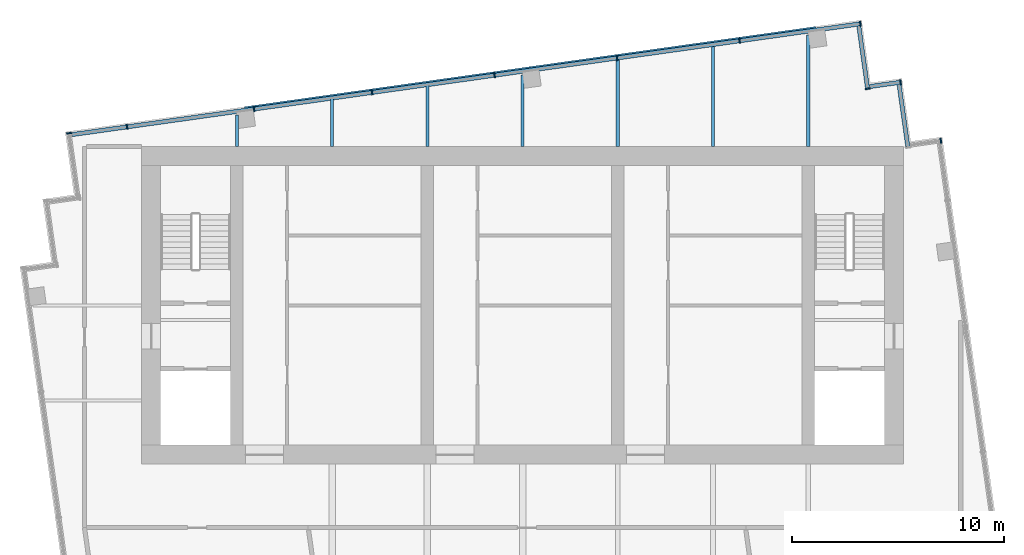
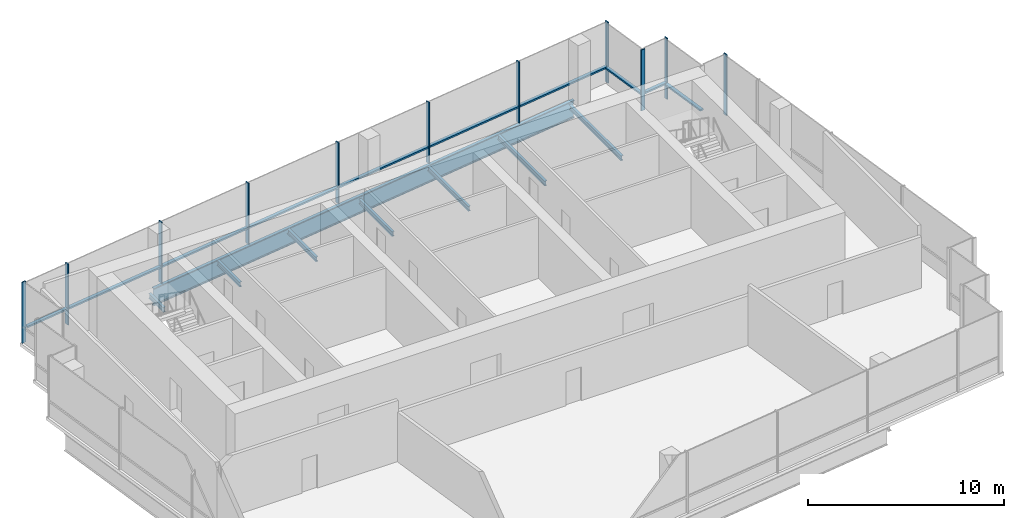
# One storey, part 5 of 9: 21 members, 9 beams, 6 elements without a shape of their own.
"""IFC4 building model written with IfcOpenShell, lengths in metres."""

from ifc_helpers import new_model, si_unit, direction, frame, origin, origin_2d, place, context, subcontext, project, spatial, rectangle, i_section, extrude, material, layer, layer_set, material_profile, profile_set, type_object, element, aggregate, save


model = new_model("IFC4")

# Units and contexts
model_context = context("Model", 3, precision=1e-05, world=origin(), true_north=direction((0.0, 1.0)))
body_context = subcontext(model_context, "Body", "Model", "MODEL_VIEW")
ifc_project = project(units=[si_unit("LENGTHUNIT", "METRE"), si_unit("AREAUNIT", "SQUARE_METRE"), si_unit("VOLUMEUNIT", "CUBIC_METRE"), si_unit("PLANEANGLEUNIT", "RADIAN"), si_unit("MASSUNIT", "GRAM", prefix="KILO")], contexts=[model_context])

# Site, building, storey
site_placement = place(None, origin())
site = spatial("IfcSite", under=ifc_project, at=site_placement, CompositionType="ELEMENT")
building_placement = place(site_placement, origin())
building = spatial("IfcBuilding", under=site, at=building_placement, Name="Rattan Terrace Tower", CompositionType="ELEMENT")
storey_placement = place(building_placement, frame((0.0, 0.0, 304.300048828125)))
storey = spatial("IfcBuildingStorey", under=building, at=storey_placement, Name="C04", CompositionType="ELEMENT", Elevation=304.300048828125)

# Beams
ifc_material_1 = material(Name="Steel S460", Category="steel")
ifc_material_profile_1 = material_profile(ifc_material_1, i_section(OverallWidth=0.179931640625, OverallDepth=1.10009765625, WebThickness=0.01611328125, FlangeThickness=0.050048828125, at=origin_2d()), Name="PG 1100x180-16-50")
ifc_profile_set_1 = profile_set([ifc_material_profile_1], Name="Steel S460")
beam_type_1 = type_object("IfcBeamType", Name="Frame edge girder PG 1100x180-16-50", PredefinedType="SPANDREL", material=ifc_profile_set_1)
beam_1_placement = place(storey_placement, frame((0.361083984375, 11.19189453125, -0.75), z_axis=(-0.990261517274, -0.139219709116, 0.0), x_axis=(0.139219709116, -0.990261517274, 0.0)))
element("IfcBeam", 1, at=beam_1_placement, inside=storey, type_object=beam_type_1, Name="gdr-C04-004", PredefinedType="SPANDREL", context=body_context, shape_type="SweptSolid", body=[
    extrude(i_section(OverallWidth=0.179931640625, OverallDepth=1.10009765625, WebThickness=0.01611328125, FlangeThickness=0.050048828125, at=origin_2d()), origin(), (0.0, 0.0, 1.0), 13.6328125),
])
beam_2_placement = place(storey_placement, frame((13.861083984375, 13.089111328125, -0.75), z_axis=(-0.990268922684, -0.139167024707, 0.0), x_axis=(0.139167024707, -0.990268922684, 0.0)))
element("IfcBeam", 2, at=beam_2_placement, inside=storey, type_object=beam_type_1, Name="gdr-C04-005", PredefinedType="SPANDREL", context=body_context, shape_type="SweptSolid", body=[
    extrude(i_section(OverallWidth=0.179931640625, OverallDepth=1.10009765625, WebThickness=0.01611328125, FlangeThickness=0.050048828125, at=origin_2d()), origin(), (0.0, 0.0, 1.0), 13.632568359375),
])
ifc_material_2 = material(Name="Steel S355", Category="steel")
ifc_material_profile_2 = material_profile(ifc_material_2, i_section(OverallWidth=0.14990234375, OverallDepth=0.300048828125, WebThickness=0.007080078125, FlangeThickness=0.0107421875, FilletRadius=0.014892578125, at=origin_2d()), Name="IPE 300")
ifc_profile_set_2 = profile_set([ifc_material_profile_2], Name="Steel S355")
beam_type_2 = type_object("IfcBeamType", Name="Frame floor beam IPE 300", PredefinedType="JOIST", material=ifc_profile_set_2)
beam_3_placement = place(storey_placement, frame((-13.5, 7.5, -0.35009765625), z_axis=(0.0, 1.0, 0.0), x_axis=(-1.0, 0.0, 0.0)))
element("IfcBeam", 3, at=beam_3_placement, inside=storey, type_object=beam_type_2, Name="bm-C04-011", PredefinedType="JOIST", context=body_context, shape_type="SweptSolid", body=[
    extrude(i_section(OverallWidth=0.14990234375, OverallDepth=0.300048828125, WebThickness=0.007080078125, FlangeThickness=0.0107421875, FilletRadius=0.014892578125, at=origin_2d()), origin(), (0.0, 0.0, 1.0), 1.487060546875),
])
beam_4_placement = place(storey_placement, frame((-9.0, 7.5, -0.35009765625), z_axis=(0.0, 1.0, 0.0), x_axis=(-1.0, 0.0, 0.0)))
element("IfcBeam", 4, at=beam_4_placement, inside=storey, type_object=beam_type_2, Name="bm-C04-012", PredefinedType="JOIST", context=body_context, shape_type="SweptSolid", body=[
    extrude(i_section(OverallWidth=0.14990234375, OverallDepth=0.300048828125, WebThickness=0.007080078125, FlangeThickness=0.0107421875, FilletRadius=0.014892578125, at=origin_2d()), origin(), (0.0, 0.0, 1.0), 2.284912109375),
])
beam_5_placement = place(storey_placement, frame((-4.5, 7.5, -0.35009765625), z_axis=(0.0, 1.0, 0.0), x_axis=(-1.0, 0.0, 0.0)))
element("IfcBeam", 5, at=beam_5_placement, inside=storey, type_object=beam_type_2, Name="bm-C04-013", PredefinedType="JOIST", context=body_context, shape_type="SweptSolid", body=[
    extrude(i_section(OverallWidth=0.14990234375, OverallDepth=0.300048828125, WebThickness=0.007080078125, FlangeThickness=0.0107421875, FilletRadius=0.014892578125, at=origin_2d()), origin(), (0.0, 0.0, 1.0), 2.91796875),
])
beam_6_placement = place(storey_placement, frame((0.0, 7.5, -0.35009765625), z_axis=(0.0, 1.0, 0.0), x_axis=(-1.0, 0.0, 0.0)))
element("IfcBeam", 6, at=beam_6_placement, inside=storey, type_object=beam_type_2, Name="bm-C04-014", PredefinedType="JOIST", context=body_context, shape_type="SweptSolid", body=[
    extrude(i_section(OverallWidth=0.14990234375, OverallDepth=0.300048828125, WebThickness=0.007080078125, FlangeThickness=0.0107421875, FilletRadius=0.014892578125, at=origin_2d()), origin(), (0.0, 0.0, 1.0), 3.385009765625),
])
beam_7_placement = place(storey_placement, frame((4.5, 7.5, -0.35009765625), z_axis=(0.0, 1.0, 0.0), x_axis=(-1.0, 0.0, 0.0)))
element("IfcBeam", 7, at=beam_7_placement, inside=storey, type_object=beam_type_2, Name="bm-C04-015", PredefinedType="JOIST", context=body_context, shape_type="SweptSolid", body=[
    extrude(i_section(OverallWidth=0.14990234375, OverallDepth=0.300048828125, WebThickness=0.007080078125, FlangeThickness=0.0107421875, FilletRadius=0.014892578125, at=origin_2d()), origin(), (0.0, 0.0, 1.0), 4.18310546875),
])
beam_8_placement = place(storey_placement, frame((9.0, 7.5, -0.35009765625), z_axis=(0.0, 1.0, 0.0), x_axis=(-1.0, 0.0, 0.0)))
element("IfcBeam", 8, at=beam_8_placement, inside=storey, type_object=beam_type_2, Name="bm-C04-016", PredefinedType="JOIST", context=body_context, shape_type="SweptSolid", body=[
    extrude(i_section(OverallWidth=0.14990234375, OverallDepth=0.300048828125, WebThickness=0.007080078125, FlangeThickness=0.0107421875, FilletRadius=0.014892578125, at=origin_2d()), origin(), (0.0, 0.0, 1.0), 4.81494140625),
])
beam_9_placement = place(storey_placement, frame((13.5, 7.5, -0.35009765625), z_axis=(0.0, 1.0, 0.0), x_axis=(-1.0, 0.0, 0.0)))
element("IfcBeam", 9, at=beam_9_placement, inside=storey, type_object=beam_type_2, Name="bm-C04-017", PredefinedType="JOIST", context=body_context, shape_type="SweptSolid", body=[
    extrude(i_section(OverallWidth=0.14990234375, OverallDepth=0.300048828125, WebThickness=0.007080078125, FlangeThickness=0.0107421875, FilletRadius=0.014892578125, at=origin_2d()), origin(), (0.0, 0.0, 1.0), 5.281982421875),
])

# Curtain wall, member
ifc_material_3 = material(Name="Aluminium and laminated glass", Category="aluminium")
ifc_layer = layer(ifc_material_3, 0.239990234375)
ifc_layer_set = layer_set([ifc_layer], Name="Lantern Stick Curtain Wall")
curtain_wall_type = type_object("IfcCurtainWallType", Name="Lantern Stick Curtain Wall", PredefinedType="NOTDEFINED", material=ifc_layer_set)
curtain_wall_1_placement = place(storey_placement, origin())
curtain_wall_1 = element("IfcCurtainWall", 10, at=curtain_wall_1_placement, inside=storey, type_object=curtain_wall_type, Name="Lantern curtain wall C04-12", PredefinedType="NOTDEFINED")
ifc_material_4 = material(Name="Aluminium", Category="aluminium")
ifc_material_profile_3 = material_profile(ifc_material_4, rectangle(XDim=0.070068359375, YDim=0.239990234375, at=origin_2d()), Name="Aluminium 70x240")
ifc_profile_set_3 = profile_set([ifc_material_profile_3], Name="Aluminium")
member_type_1 = type_object("IfcMemberType", Name="Lantern CW Mullion 70x240", PredefinedType="MULLION", material=ifc_profile_set_3)
member_1_placement = place(storey_placement, frame((19.763427734375, 7.77880859375, 0.0), z_axis=(0.0, 0.0, 1.0), x_axis=(-0.990227803001, -0.139459306479, 0.0)))
member_1 = element("IfcMember", 11, at=member_1_placement, type_object=member_type_1, Name="Mullion cwl-C04-012.1", PredefinedType="MULLION", context=body_context, shape_type="SweptSolid", body=[
    extrude(rectangle(XDim=0.070068359375, YDim=0.239990234375, at=origin_2d()), origin(), (0.0, 0.0, 1.0), 3.800048828125),
])
aggregate(curtain_wall_1, [member_1])

curtain_wall_2_placement = place(storey_placement, origin())
curtain_wall_2 = element("IfcCurtainWall", 12, at=curtain_wall_2_placement, inside=storey, type_object=curtain_wall_type, Name="Lantern curtain wall C04-14", PredefinedType="NOTDEFINED")
member_2_placement = place(storey_placement, frame((17.860595703125, 10.54296875, 0.0), z_axis=(0.0, 0.0, 1.0), x_axis=(-0.990319742912, -0.13880492354, 0.0)))
member_2 = element("IfcMember", 13, at=member_2_placement, type_object=member_type_1, Name="Mullion cwl-C04-014.1", PredefinedType="MULLION", context=body_context, shape_type="SweptSolid", body=[
    extrude(rectangle(XDim=0.070068359375, YDim=0.239990234375, at=origin_2d()), origin(), (0.0, 0.0, 1.0), 3.800048828125),
])

curtain_wall_3_placement = place(storey_placement, origin())
curtain_wall_3 = element("IfcCurtainWall", 14, at=curtain_wall_3_placement, inside=storey, type_object=curtain_wall_type, Name="Lantern curtain wall C04-15", PredefinedType="NOTDEFINED")
member_3_placement = place(storey_placement, frame((16.30419921875, 10.239013671875, 0.0), z_axis=(0.0, 0.0, 1.0), x_axis=(-0.139413247769, 0.990234288614, 0.0)))
member_3 = element("IfcMember", 15, at=member_3_placement, type_object=member_type_1, Name="Mullion cwl-C04-015.1", PredefinedType="MULLION", context=body_context, shape_type="SweptSolid", body=[
    extrude(rectangle(XDim=0.070068359375, YDim=0.239990234375, at=origin_2d()), origin(), (0.0, 0.0, 1.0), 3.800048828125),
])

# Curtain wall, members
curtain_wall_4_placement = place(storey_placement, origin())
curtain_wall_4 = element("IfcCurtainWall", 16, at=curtain_wall_4_placement, inside=storey, type_object=curtain_wall_type, Name="Lantern curtain wall C04-16", PredefinedType="NOTDEFINED")
member_4_placement = place(storey_placement, frame((15.95849609375, 13.3037109375, 0.0), z_axis=(0.0, 0.0, 1.0), x_axis=(-0.990266952226, -0.13918104515, 0.0)))
member_4 = element("IfcMember", 17, at=member_4_placement, type_object=member_type_1, Name="Mullion cwl-C04-016.1", PredefinedType="MULLION", context=body_context, shape_type="SweptSolid", body=[
    extrude(rectangle(XDim=0.070068359375, YDim=0.239990234375, at=origin_2d()), origin(), (0.0, 0.0, 1.0), 3.800048828125),
])
member_5_placement = place(storey_placement, frame((10.253662109375, 12.501953125, 0.0), z_axis=(0.0, 0.0, 1.0), x_axis=(-0.990266952226, -0.13918104515, 0.0)))
member_5 = element("IfcMember", 18, at=member_5_placement, type_object=member_type_1, Name="Mullion cwl-C04-016.2", PredefinedType="MULLION", context=body_context, shape_type="SweptSolid", body=[
    extrude(rectangle(XDim=0.070068359375, YDim=0.239990234375, at=origin_2d()), origin(), (0.0, 0.0, 1.0), 3.800048828125),
])
member_6_placement = place(storey_placement, frame((4.464599609375, 11.6884765625, 0.0), z_axis=(0.0, 0.0, 1.0), x_axis=(-0.990266952226, -0.13918104515, 0.0)))
member_6 = element("IfcMember", 19, at=member_6_placement, type_object=member_type_1, Name="Mullion cwl-C04-016.3", PredefinedType="MULLION", context=body_context, shape_type="SweptSolid", body=[
    extrude(rectangle(XDim=0.070068359375, YDim=0.239990234375, at=origin_2d()), origin(), (0.0, 0.0, 1.0), 3.800048828125),
])
member_7_placement = place(storey_placement, frame((-1.32470703125, 10.874755859375, 0.0), z_axis=(0.0, 0.0, 1.0), x_axis=(-0.990266952226, -0.13918104515, 0.0)))
member_7 = element("IfcMember", 20, at=member_7_placement, type_object=member_type_1, Name="Mullion cwl-C04-016.4", PredefinedType="MULLION", context=body_context, shape_type="SweptSolid", body=[
    extrude(rectangle(XDim=0.070068359375, YDim=0.239990234375, at=origin_2d()), origin(), (0.0, 0.0, 1.0), 3.800048828125),
])
member_8_placement = place(storey_placement, frame((-7.11376953125, 10.06103515625, 0.0), z_axis=(0.0, 0.0, 1.0), x_axis=(-0.990266952226, -0.13918104515, 0.0)))
member_8 = element("IfcMember", 21, at=member_8_placement, type_object=member_type_1, Name="Mullion cwl-C04-016.5", PredefinedType="MULLION", context=body_context, shape_type="SweptSolid", body=[
    extrude(rectangle(XDim=0.070068359375, YDim=0.239990234375, at=origin_2d()), origin(), (0.0, 0.0, 1.0), 3.800048828125),
])
member_9_placement = place(storey_placement, frame((-12.6875, 9.277587890625, 0.0), z_axis=(0.0, 0.0, 1.0), x_axis=(-0.990266952226, -0.13918104515, 0.0)))
member_9 = element("IfcMember", 22, at=member_9_placement, type_object=member_type_1, Name="Mullion cwl-C04-016.6", PredefinedType="MULLION", context=body_context, shape_type="SweptSolid", body=[
    extrude(rectangle(XDim=0.070068359375, YDim=0.239990234375, at=origin_2d()), origin(), (0.0, 0.0, 1.0), 3.800048828125),
])
member_10_placement = place(storey_placement, frame((-18.69189453125, 8.433837890625, 0.0), z_axis=(0.0, 0.0, 1.0), x_axis=(-0.990266952226, -0.13918104515, 0.0)))
member_10 = element("IfcMember", 23, at=member_10_placement, type_object=member_type_1, Name="Mullion cwl-C04-016.7", PredefinedType="MULLION", context=body_context, shape_type="SweptSolid", body=[
    extrude(rectangle(XDim=0.070068359375, YDim=0.239990234375, at=origin_2d()), origin(), (0.0, 0.0, 1.0), 3.800048828125),
])

# Curtain wall, member
curtain_wall_5_placement = place(storey_placement, origin())
curtain_wall_5 = element("IfcCurtainWall", 24, at=curtain_wall_5_placement, inside=storey, type_object=curtain_wall_type, Name="Lantern curtain wall C04-17", PredefinedType="NOTDEFINED")
member_11_placement = place(storey_placement, frame((-21.431884765625, 8.134521484375, 0.0), z_axis=(0.0, 0.0, 1.0), x_axis=(0.139040257975, -0.990286729519, 0.0)))
member_11 = element("IfcMember", 25, at=member_11_placement, type_object=member_type_1, Name="Mullion cwl-C04-017.1", PredefinedType="MULLION", context=body_context, shape_type="SweptSolid", body=[
    extrude(rectangle(XDim=0.070068359375, YDim=0.239990234375, at=origin_2d()), origin(), (0.0, 0.0, 1.0), 3.800048828125),
])
aggregate(curtain_wall_5, [member_11])

curtain_wall_6_placement = place(storey_placement, origin())
curtain_wall_6 = element("IfcCurtainWall", 26, at=curtain_wall_6_placement, inside=storey, type_object=curtain_wall_type, Name="Lantern curtain wall C04-13", PredefinedType="NOTDEFINED")
ifc_material_5 = material(Name="Aluminium", Category="aluminium")
ifc_material_profile_4 = material_profile(ifc_material_5, rectangle(XDim=0.199951171875, YDim=0.10009765625, at=origin_2d()), Name="Aluminium 200x100")
ifc_profile_set_4 = profile_set([ifc_material_profile_4], Name="Aluminium")
member_type_2 = type_object("IfcMemberType", Name="Lantern CW Transom 200x100", PredefinedType="USERDEFINED", material=ifc_profile_set_4)
member_12_placement = place(storey_placement, frame((18.202392578125, 7.508544921875, 1.0), z_axis=(-0.139532909028, 0.990217434354, 0.0), x_axis=(-0.990217434354, -0.139532909028, 0.0)))
member_12 = element("IfcMember", 27, at=member_12_placement, type_object=member_type_2, Name="Transom cwl-C04-013.1", ObjectType="TRANSOM", PredefinedType="USERDEFINED", context=body_context, shape_type="SweptSolid", body=[
    extrude(rectangle(XDim=0.199951171875, YDim=0.10009765625, at=origin_2d()), origin(), (0.0, 0.0, 1.0), 2.9326171875),
])
aggregate(curtain_wall_6, [member_12])

# Member
member_13_placement = place(storey_placement, frame((17.825927734375, 10.5380859375, 1.0), z_axis=(-0.990301815941, -0.13893276555, 0.0), x_axis=(0.13893276555, -0.990301815941, 0.0)))
member_13 = element("IfcMember", 28, at=member_13_placement, type_object=member_type_2, Name="Transom cwl-C04-014.1", ObjectType="TRANSOM", PredefinedType="USERDEFINED", context=body_context, shape_type="SweptSolid", body=[
    extrude(rectangle(XDim=0.199951171875, YDim=0.10009765625, at=origin_2d()), origin(), (0.0, 0.0, 1.0), 1.4287109375),
])

aggregate(curtain_wall_2, [member_2, member_13])

member_14_placement = place(storey_placement, frame((16.29931640625, 10.2734375, 1.0), z_axis=(-0.139401737802, 0.990235909013, 0.0), x_axis=(-0.990235909013, -0.139401737802, 0.0)))
member_14 = element("IfcMember", 29, at=member_14_placement, type_object=member_type_2, Name="Transom cwl-C04-015.1", ObjectType="TRANSOM", PredefinedType="USERDEFINED", context=body_context, shape_type="SweptSolid", body=[
    extrude(rectangle(XDim=0.199951171875, YDim=0.10009765625, at=origin_2d()), origin(), (0.0, 0.0, 1.0), 2.92822265625),
])

aggregate(curtain_wall_3, [member_3, member_14])

member_15_placement = place(storey_placement, frame((15.923828125, 13.299072265625, 1.0), z_axis=(-0.990262771001, -0.139210791141, 0.0), x_axis=(0.139210791141, -0.990262771001, 0.0)))
member_15 = element("IfcMember", 30, at=member_15_placement, type_object=member_type_2, Name="Transom cwl-C04-016.1", ObjectType="TRANSOM", PredefinedType="USERDEFINED", context=body_context, shape_type="SweptSolid", body=[
    extrude(rectangle(XDim=0.199951171875, YDim=0.10009765625, at=origin_2d()), origin(), (0.0, 0.0, 1.0), 5.69091796875),
])

member_16_placement = place(storey_placement, frame((10.218994140625, 12.4970703125, 1.0), z_axis=(-0.990265684123, -0.139190067348, 0.0), x_axis=(0.139190067348, -0.990265684123, 0.0)))
member_16 = element("IfcMember", 31, at=member_16_placement, type_object=member_type_2, Name="Transom cwl-C04-016.2", ObjectType="TRANSOM", PredefinedType="USERDEFINED", context=body_context, shape_type="SweptSolid", body=[
    extrude(rectangle(XDim=0.199951171875, YDim=0.10009765625, at=origin_2d()), origin(), (0.0, 0.0, 1.0), 5.77587890625),
])

member_17_placement = place(storey_placement, frame((4.429931640625, 11.68359375, 1.0), z_axis=(-0.990266502976, -0.139184241508, 0.0), x_axis=(0.139184241508, -0.990266502976, 0.0)))
member_17 = element("IfcMember", 32, at=member_17_placement, type_object=member_type_2, Name="Transom cwl-C04-016.3", ObjectType="TRANSOM", PredefinedType="USERDEFINED", context=body_context, shape_type="SweptSolid", body=[
    extrude(rectangle(XDim=0.199951171875, YDim=0.10009765625, at=origin_2d()), origin(), (0.0, 0.0, 1.0), 5.776123046875),
])

member_18_placement = place(storey_placement, frame((-1.359375, 10.869873046875, 1.0), z_axis=(-0.990265684123, -0.139190067348, 0.0), x_axis=(0.139190067348, -0.990265684123, 0.0)))
member_18 = element("IfcMember", 33, at=member_18_placement, type_object=member_type_2, Name="Transom cwl-C04-016.4", ObjectType="TRANSOM", PredefinedType="USERDEFINED", context=body_context, shape_type="SweptSolid", body=[
    extrude(rectangle(XDim=0.199951171875, YDim=0.10009765625, at=origin_2d()), origin(), (0.0, 0.0, 1.0), 5.77587890625),
])

member_19_placement = place(storey_placement, frame((-7.1484375, 10.05615234375, 1.0), z_axis=(-0.990265851054, -0.139188879712, 0.0), x_axis=(0.139188879712, -0.990265851054, 0.0)))
member_19 = element("IfcMember", 34, at=member_19_placement, type_object=member_type_2, Name="Transom cwl-C04-016.5", ObjectType="TRANSOM", PredefinedType="USERDEFINED", context=body_context, shape_type="SweptSolid", body=[
    extrude(rectangle(XDim=0.199951171875, YDim=0.10009765625, at=origin_2d()), origin(), (0.0, 0.0, 1.0), 5.55859375),
])

member_20_placement = place(storey_placement, frame((-12.72216796875, 9.272705078125, 1.0), z_axis=(-0.990271143275, -0.139151222765, 0.0), x_axis=(0.139151222765, -0.990271143275, 0.0)))
member_20 = element("IfcMember", 35, at=member_20_placement, type_object=member_type_2, Name="Transom cwl-C04-016.6", ObjectType="TRANSOM", PredefinedType="USERDEFINED", context=body_context, shape_type="SweptSolid", body=[
    extrude(rectangle(XDim=0.199951171875, YDim=0.10009765625, at=origin_2d()), origin(), (0.0, 0.0, 1.0), 5.993408203125),
])

member_21_placement = place(storey_placement, frame((-18.7265625, 8.428955078125, 1.0), z_axis=(-0.990256983473, -0.139251953963, 0.0), x_axis=(0.139251953963, -0.990256983473, 0.0)))
member_21 = element("IfcMember", 36, at=member_21_placement, type_object=member_type_2, Name="Transom cwl-C04-016.7", ObjectType="TRANSOM", PredefinedType="USERDEFINED", context=body_context, shape_type="SweptSolid", body=[
    extrude(rectangle(XDim=0.199951171875, YDim=0.10009765625, at=origin_2d()), origin(), (0.0, 0.0, 1.0), 2.60009765625),
])

aggregate(curtain_wall_4, [member_4, member_5, member_6, member_7, member_8, member_9, member_10, member_15, member_16, member_17, member_18, member_19, member_20, member_21])

save(model, "model.ifc")
